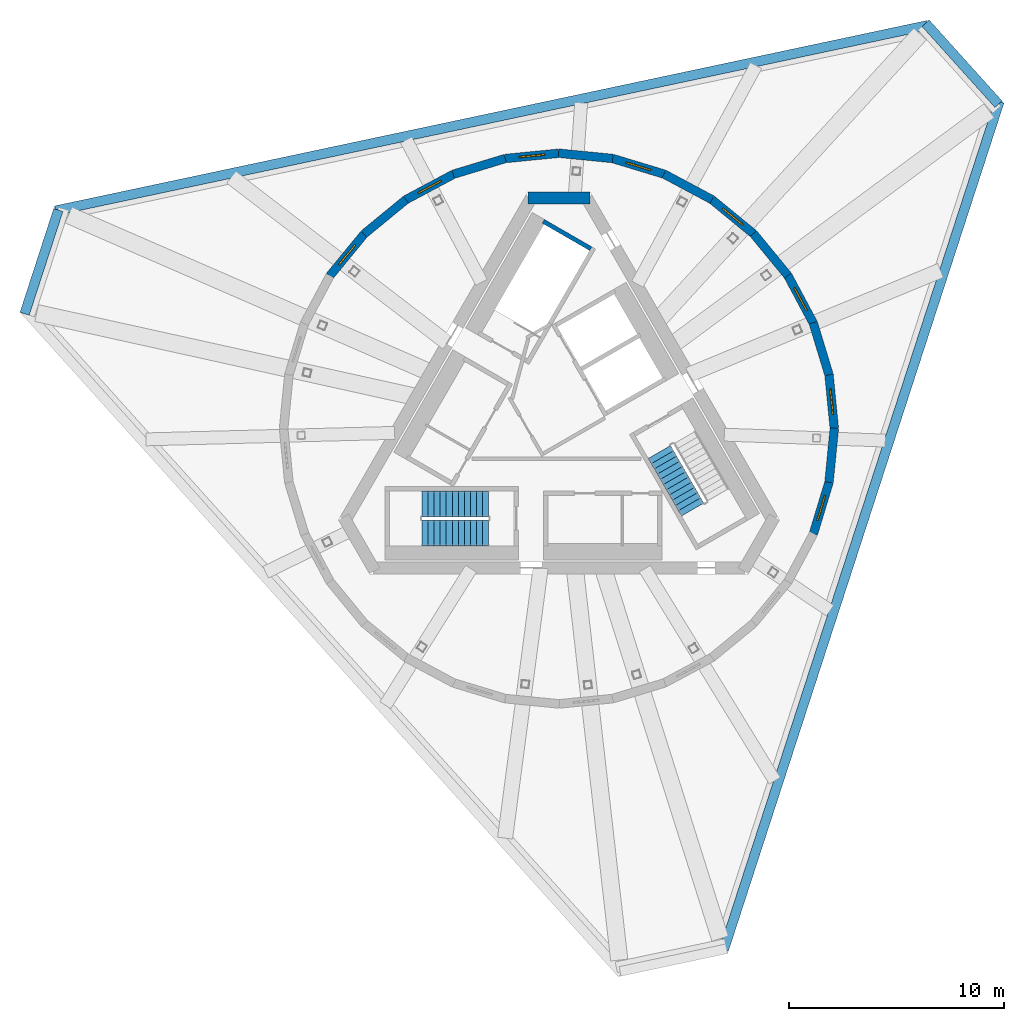
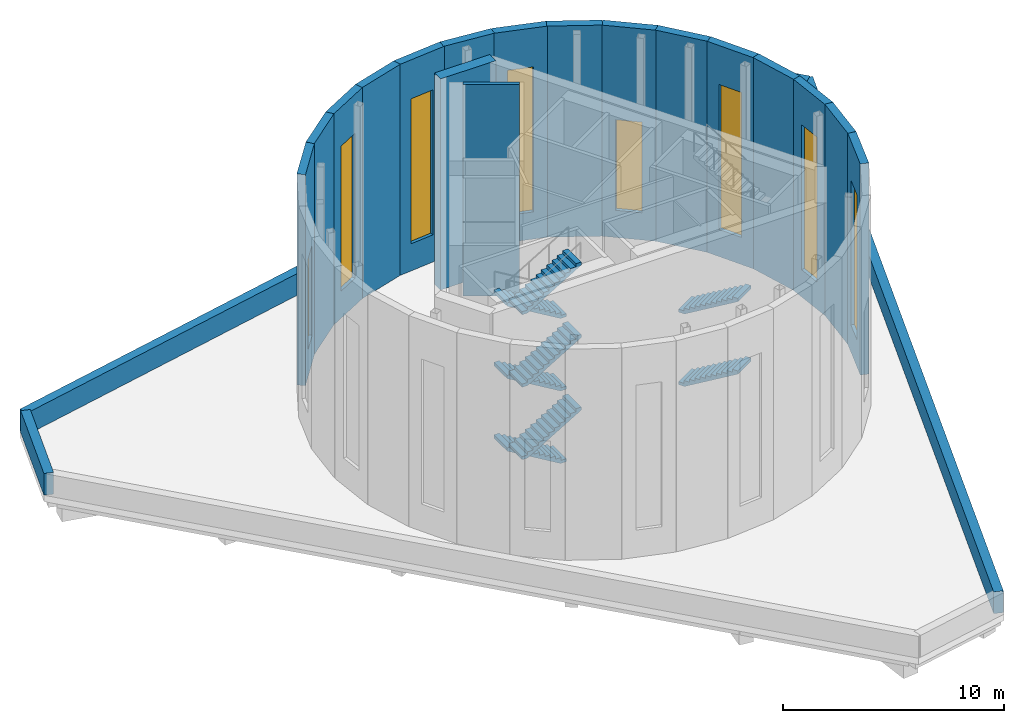
# One storey, part 7 of 9: 21 walls, 8 stair flights, 8 windows, 8 openings, 2 elements without a shape of their own.
"""IFC4 building model written with IfcOpenShell, lengths in metres."""

from ifc_helpers import new_model, si_unit, direction, frame, frame_2d, origin, place, context, subcontext, project, spatial, polyline, rectangle, outline, extrude, material, layer, layer_set, type_object, element, fill, aggregate, save


model = new_model("IFC4")

# Units and contexts
model_context = context("Model", 3, precision=1e-05, world=origin(), true_north=direction((0.0, 1.0)))
body_context = subcontext(model_context, "Body", "Model", "MODEL_VIEW")
ifc_project = project(units=[si_unit("LENGTHUNIT", "METRE"), si_unit("AREAUNIT", "SQUARE_METRE"), si_unit("VOLUMEUNIT", "CUBIC_METRE"), si_unit("PLANEANGLEUNIT", "RADIAN"), si_unit("MASSUNIT", "GRAM", prefix="KILO")], contexts=[model_context])

# Site, building, storey
site_placement = place(None, origin())
site = spatial("IfcSite", under=ifc_project, at=site_placement, CompositionType="ELEMENT")
building_placement = place(site_placement, origin())
building = spatial("IfcBuilding", under=site, at=building_placement, Name="Tramontana Tower", CompositionType="ELEMENT")
storey_placement = place(building_placement, frame((0.0, 0.0, 380.89990234375)))
storey = spatial("IfcBuildingStorey", under=building, at=storey_placement, Name="Crown", CompositionType="ELEMENT", Elevation=380.89990234375)

# Wall
ifc_material_1 = material(Name="Concrete 70 MPa", Category="concrete")
ifc_layer_1 = layer(ifc_material_1, 0.550048828125)
ifc_layer_set_1 = layer_set([ifc_layer_1], Name="Core wall 550 70 MPa")
wall_type_1 = type_object("IfcWallType", Name="Core wall 550 70 MPa", PredefinedType="SHEAR", material=ifc_layer_set_1)
wall_1_placement = place(storey_placement, frame((1.443359375, 10.72509765625, 0.0), z_axis=(0.0, 0.0, 1.0), x_axis=(-1.0, 0.0, 0.0)))
element("IfcWall", 1, at=wall_1_placement, inside=storey, type_object=wall_type_1, Name="Core wall C0 Crown", PredefinedType="SHEAR", context=body_context, shape_type="SweptSolid", body=[
    extrude(rectangle(XDim=2.88671875, YDim=0.550048828125, at=frame_2d((1.443359375, 0.0))), origin(), (0.0, 0.0, 1.0), 11.650146484375),
])

# Wall, opening, window
ifc_material_2 = material(Name="Precast concrete 60 MPa", Category="concrete")
ifc_layer_2 = layer(ifc_material_2, 0.39990234375)
ifc_layer_set_2 = layer_set([ifc_layer_2], Name="DW1 Plant drum wall 400")
wall_type_2 = type_object("IfcWallType", Name="DW1 Plant drum wall 400", PredefinedType="SOLIDWALL", material=ifc_layer_set_2)
wall_2_placement = place(storey_placement, frame((12.800048828125, 0.0, 0.0), z_axis=(0.0, 0.0, 1.0), x_axis=(-0.098079487956, 0.995178583995, 0.0)))
wall_2 = element("IfcWall", 2, at=wall_2_placement, inside=storey, type_object=wall_type_2, Name="Plant drum wall 1", PredefinedType="SOLIDWALL", context=body_context, shape_type="SweptSolid", body=[
    extrude(rectangle(XDim=2.529052734375, YDim=0.39990234375, at=frame_2d((1.2646484375, 0.0))), origin(), (0.0, 0.0, 1.0), 11.650146484375),
])
opening_1_placement = place(wall_2_placement, frame((0.66455078125, 0.0, 1.5)))
opening_1 = element("IfcOpeningElement", 3, at=opening_1_placement, cuts=wall_2, Name="Opening LV3", PredefinedType="OPENING", context=body_context, shape_type="SweptSolid", body=[
    extrude(rectangle(XDim=1.199951171875, YDim=8.0, at=frame_2d((0.60009765625, 4.0))), frame((0.0, 0.2099609375, 0.0), z_axis=(0.0, -1.0, 0.0), x_axis=(1.0, 0.0, 0.0)), (0.0, 0.0, 1.0), 0.419921875),
])
ifc_material_3 = material(Name="Aluminum louvre blades", Category="aluminium")
window_type_1 = type_object("IfcWindowType", Name="LV3 Slot louvre 1.2 x 8", PartitioningType="SINGLE_PANEL", PredefinedType="WINDOW", material=ifc_material_3)
window_1_placement = place(opening_1_placement, origin())
window_1 = element("IfcWindow", 4, at=window_1_placement, inside=storey, type_object=window_type_1, Name="Plant drum louvre 1", OverallHeight=8.0, OverallWidth=1.199951171875, PartitioningType="SINGLE_PANEL", PredefinedType="WINDOW", context=body_context, shape_type="SweptSolid", body=[
    extrude(rectangle(XDim=1.199951171875, YDim=8.0, at=frame_2d((0.60009765625, 4.0))), frame((0.0, 0.030029296875, 0.0), z_axis=(0.0, -1.0, 0.0), x_axis=(1.0, 0.0, 0.0)), (0.0, 0.0, 1.0), 0.06005859375),
])
fill(opening_1, window_1)

# Wall
wall_3_placement = place(storey_placement, frame((12.553955078125, 2.4970703125, 0.0), z_axis=(0.0, 0.0, 1.0), x_axis=(-0.290277987642, 0.956942364979, 0.0)))
element("IfcWall", 5, at=wall_3_placement, inside=storey, type_object=wall_type_2, Name="Plant drum wall 2", PredefinedType="SOLIDWALL", context=body_context, shape_type="SweptSolid", body=[
    extrude(rectangle(XDim=2.529052734375, YDim=0.39990234375, at=frame_2d((1.2646484375, 0.0))), origin(), (0.0, 0.0, 1.0), 11.650146484375),
])

# Wall, opening, window
wall_4_placement = place(storey_placement, frame((11.82568359375, 4.8984375, 0.0), z_axis=(0.0, 0.0, 1.0), x_axis=(-0.47141481613, 0.881911600521, 0.0)))
wall_4 = element("IfcWall", 6, at=wall_4_placement, inside=storey, type_object=wall_type_2, Name="Plant drum wall 3", PredefinedType="SOLIDWALL", context=body_context, shape_type="SweptSolid", body=[
    extrude(rectangle(XDim=2.52880859375, YDim=0.39990234375, at=frame_2d((1.264404296875, 0.0))), origin(), (0.0, 0.0, 1.0), 11.650146484375),
])
opening_2_placement = place(wall_4_placement, frame((0.66455078125, 0.0, 1.5)))
opening_2 = element("IfcOpeningElement", 7, at=opening_2_placement, cuts=wall_4, Name="Opening LV3", PredefinedType="OPENING", context=body_context, shape_type="SweptSolid", body=[
    extrude(rectangle(XDim=1.199951171875, YDim=8.0, at=frame_2d((0.60009765625, 4.0))), frame((0.0, 0.2099609375, 0.0), z_axis=(0.0, -1.0, 0.0), x_axis=(1.0, 0.0, 0.0)), (0.0, 0.0, 1.0), 0.419921875),
])
window_2_placement = place(opening_2_placement, origin())
window_2 = element("IfcWindow", 8, at=window_2_placement, inside=storey, type_object=window_type_1, Name="Plant drum louvre 2", OverallHeight=8.0, OverallWidth=1.199951171875, PartitioningType="SINGLE_PANEL", PredefinedType="WINDOW", context=body_context, shape_type="SweptSolid", body=[
    extrude(rectangle(XDim=1.199951171875, YDim=8.0, at=frame_2d((0.60009765625, 4.0))), frame((0.0, 0.030029296875, 0.0), z_axis=(0.0, -1.0, 0.0), x_axis=(1.0, 0.0, 0.0)), (0.0, 0.0, 1.0), 0.06005859375),
])
fill(opening_2, window_2)

# Wall
wall_5_placement = place(storey_placement, frame((10.642822265625, 7.111328125, 0.0), z_axis=(0.0, 0.0, 1.0), x_axis=(-0.634383184074, 0.773018742182, 0.0)))
element("IfcWall", 9, at=wall_5_placement, inside=storey, type_object=wall_type_2, Name="Plant drum wall 4", PredefinedType="SOLIDWALL", context=body_context, shape_type="SweptSolid", body=[
    extrude(rectangle(XDim=2.52880859375, YDim=0.39990234375, at=frame_2d((1.264404296875, 0.0))), origin(), (0.0, 0.0, 1.0), 11.650146484375),
])

# Wall, opening, window
wall_6_placement = place(storey_placement, frame((9.051025390625, 9.051025390625, 0.0), z_axis=(0.0, 0.0, 1.0), x_axis=(-0.773018742182, 0.634383184074, 0.0)))
wall_6 = element("IfcWall", 10, at=wall_6_placement, inside=storey, type_object=wall_type_2, Name="Plant drum wall 5", PredefinedType="SOLIDWALL", context=body_context, shape_type="SweptSolid", body=[
    extrude(rectangle(XDim=2.52880859375, YDim=0.39990234375, at=frame_2d((1.264404296875, 0.0))), origin(), (0.0, 0.0, 1.0), 11.650146484375),
])
opening_3_placement = place(wall_6_placement, frame((0.66455078125, 0.0, 1.5)))
opening_3 = element("IfcOpeningElement", 11, at=opening_3_placement, cuts=wall_6, Name="Opening LV4", PredefinedType="OPENING", context=body_context, shape_type="SweptSolid", body=[
    extrude(rectangle(XDim=1.199951171875, YDim=5.0, at=frame_2d((0.60009765625, 2.5))), frame((0.0, 0.2099609375, 0.0), z_axis=(0.0, -1.0, 0.0), x_axis=(1.0, 0.0, 0.0)), (0.0, 0.0, 1.0), 0.419921875),
])
ifc_material_4 = material(Name="Aluminum louvre blades", Category="aluminium")
window_type_2 = type_object("IfcWindowType", Name="LV4 Slot louvre 1.2 x 5", PartitioningType="SINGLE_PANEL", PredefinedType="WINDOW", material=ifc_material_4)
window_3_placement = place(opening_3_placement, origin())
window_3 = element("IfcWindow", 12, at=window_3_placement, inside=storey, type_object=window_type_2, Name="Plant drum louvre 3", OverallHeight=5.0, OverallWidth=1.199951171875, PartitioningType="SINGLE_PANEL", PredefinedType="WINDOW", context=body_context, shape_type="SweptSolid", body=[
    extrude(rectangle(XDim=1.199951171875, YDim=5.0, at=frame_2d((0.60009765625, 2.5))), frame((0.0, 0.030029296875, 0.0), z_axis=(0.0, -1.0, 0.0), x_axis=(1.0, 0.0, 0.0)), (0.0, 0.0, 1.0), 0.06005859375),
])
fill(opening_3, window_3)

# Wall
wall_7_placement = place(storey_placement, frame((7.111328125, 10.642822265625, 0.0), z_axis=(0.0, 0.0, 1.0), x_axis=(-0.881933052507, 0.47137468207, 0.0)))
element("IfcWall", 13, at=wall_7_placement, inside=storey, type_object=wall_type_2, Name="Plant drum wall 6", PredefinedType="SOLIDWALL", context=body_context, shape_type="SweptSolid", body=[
    extrude(rectangle(XDim=2.529052734375, YDim=0.39990234375, at=frame_2d((1.2646484375, 0.0))), origin(), (0.0, 0.0, 1.0), 11.650146484375),
])

# Wall, opening, window
wall_8_placement = place(storey_placement, frame((4.8984375, 11.82568359375, 0.0), z_axis=(0.0, 0.0, 1.0), x_axis=(-0.956942364979, 0.290277987642, 0.0)))
wall_8 = element("IfcWall", 14, at=wall_8_placement, inside=storey, type_object=wall_type_2, Name="Plant drum wall 7", PredefinedType="SOLIDWALL", context=body_context, shape_type="SweptSolid", body=[
    extrude(rectangle(XDim=2.529052734375, YDim=0.39990234375, at=frame_2d((1.2646484375, 0.0))), origin(), (0.0, 0.0, 1.0), 11.650146484375),
])
opening_4_placement = place(wall_8_placement, frame((0.66455078125, 0.0, 1.5)))
opening_4 = element("IfcOpeningElement", 15, at=opening_4_placement, cuts=wall_8, Name="Opening LV3", PredefinedType="OPENING", context=body_context, shape_type="SweptSolid", body=[
    extrude(rectangle(XDim=1.199951171875, YDim=8.0, at=frame_2d((0.60009765625, 4.0))), frame((0.0, 0.2099609375, 0.0), z_axis=(0.0, -1.0, 0.0), x_axis=(1.0, 0.0, 0.0)), (0.0, 0.0, 1.0), 0.419921875),
])
window_4_placement = place(opening_4_placement, origin())
window_4 = element("IfcWindow", 16, at=window_4_placement, inside=storey, type_object=window_type_1, Name="Plant drum louvre 4", OverallHeight=8.0, OverallWidth=1.199951171875, PartitioningType="SINGLE_PANEL", PredefinedType="WINDOW", context=body_context, shape_type="SweptSolid", body=[
    extrude(rectangle(XDim=1.199951171875, YDim=8.0, at=frame_2d((0.60009765625, 4.0))), frame((0.0, 0.030029296875, 0.0), z_axis=(0.0, -1.0, 0.0), x_axis=(1.0, 0.0, 0.0)), (0.0, 0.0, 1.0), 0.06005859375),
])
fill(opening_4, window_4)

# Wall
wall_9_placement = place(storey_placement, frame((2.4970703125, 12.553955078125, 0.0), z_axis=(0.0, 0.0, 1.0), x_axis=(-0.995177655235, 0.098088911304, 0.0)))
element("IfcWall", 17, at=wall_9_placement, inside=storey, type_object=wall_type_2, Name="Plant drum wall 8", PredefinedType="SOLIDWALL", context=body_context, shape_type="SweptSolid", body=[
    extrude(rectangle(XDim=2.52880859375, YDim=0.39990234375, at=frame_2d((1.264404296875, 0.0))), origin(), (0.0, 0.0, 1.0), 11.650146484375),
])

# Wall, opening, window
wall_10_placement = place(storey_placement, frame((0.0, 12.800048828125, 0.0), z_axis=(0.0, 0.0, 1.0), x_axis=(-0.995178583995, -0.098079487956, 0.0)))
wall_10 = element("IfcWall", 18, at=wall_10_placement, inside=storey, type_object=wall_type_2, Name="Plant drum wall 9", PredefinedType="SOLIDWALL", context=body_context, shape_type="SweptSolid", body=[
    extrude(rectangle(XDim=2.529052734375, YDim=0.39990234375, at=frame_2d((1.2646484375, 0.0))), origin(), (0.0, 0.0, 1.0), 11.650146484375),
])
opening_5_placement = place(wall_10_placement, frame((0.66455078125, 0.0, 1.5)))
opening_5 = element("IfcOpeningElement", 19, at=opening_5_placement, cuts=wall_10, Name="Opening LV3", PredefinedType="OPENING", context=body_context, shape_type="SweptSolid", body=[
    extrude(rectangle(XDim=1.199951171875, YDim=8.0, at=frame_2d((0.60009765625, 4.0))), frame((0.0, 0.2099609375, 0.0), z_axis=(0.0, -1.0, 0.0), x_axis=(1.0, 0.0, 0.0)), (0.0, 0.0, 1.0), 0.419921875),
])
window_5_placement = place(opening_5_placement, origin())
window_5 = element("IfcWindow", 20, at=window_5_placement, inside=storey, type_object=window_type_1, Name="Plant drum louvre 5", OverallHeight=8.0, OverallWidth=1.199951171875, PartitioningType="SINGLE_PANEL", PredefinedType="WINDOW", context=body_context, shape_type="SweptSolid", body=[
    extrude(rectangle(XDim=1.199951171875, YDim=8.0, at=frame_2d((0.60009765625, 4.0))), frame((0.0, 0.030029296875, 0.0), z_axis=(0.0, -1.0, 0.0), x_axis=(1.0, 0.0, 0.0)), (0.0, 0.0, 1.0), 0.06005859375),
])
fill(opening_5, window_5)

# Wall
wall_11_placement = place(storey_placement, frame((-2.4970703125, 12.553955078125, 0.0), z_axis=(0.0, 0.0, 1.0), x_axis=(-0.956942364979, -0.290277987642, 0.0)))
element("IfcWall", 21, at=wall_11_placement, inside=storey, type_object=wall_type_2, Name="Plant drum wall 10", PredefinedType="SOLIDWALL", context=body_context, shape_type="SweptSolid", body=[
    extrude(rectangle(XDim=2.529052734375, YDim=0.39990234375, at=frame_2d((1.2646484375, 0.0))), origin(), (0.0, 0.0, 1.0), 11.650146484375),
])

# Wall, opening, window
wall_12_placement = place(storey_placement, frame((-4.8984375, 11.82568359375, 0.0), z_axis=(0.0, 0.0, 1.0), x_axis=(-0.881911600521, -0.47141481613, 0.0)))
wall_12 = element("IfcWall", 22, at=wall_12_placement, inside=storey, type_object=wall_type_2, Name="Plant drum wall 11", PredefinedType="SOLIDWALL", context=body_context, shape_type="SweptSolid", body=[
    extrude(rectangle(XDim=2.52880859375, YDim=0.39990234375, at=frame_2d((1.264404296875, 0.0))), origin(), (0.0, 0.0, 1.0), 11.650146484375),
])
opening_6_placement = place(wall_12_placement, frame((0.66455078125, 0.0, 1.5)))
opening_6 = element("IfcOpeningElement", 23, at=opening_6_placement, cuts=wall_12, Name="Opening LV3", PredefinedType="OPENING", context=body_context, shape_type="SweptSolid", body=[
    extrude(rectangle(XDim=1.199951171875, YDim=8.0, at=frame_2d((0.60009765625, 4.0))), frame((0.0, 0.2099609375, 0.0), z_axis=(0.0, -1.0, 0.0), x_axis=(1.0, 0.0, 0.0)), (0.0, 0.0, 1.0), 0.419921875),
])
window_6_placement = place(opening_6_placement, origin())
window_6 = element("IfcWindow", 24, at=window_6_placement, inside=storey, type_object=window_type_1, Name="Plant drum louvre 6", OverallHeight=8.0, OverallWidth=1.199951171875, PartitioningType="SINGLE_PANEL", PredefinedType="WINDOW", context=body_context, shape_type="SweptSolid", body=[
    extrude(rectangle(XDim=1.199951171875, YDim=8.0, at=frame_2d((0.60009765625, 4.0))), frame((0.0, 0.030029296875, 0.0), z_axis=(0.0, -1.0, 0.0), x_axis=(1.0, 0.0, 0.0)), (0.0, 0.0, 1.0), 0.06005859375),
])
fill(opening_6, window_6)

# Wall
wall_13_placement = place(storey_placement, frame((-7.111328125, 10.642822265625, 0.0), z_axis=(0.0, 0.0, 1.0), x_axis=(-0.773018742182, -0.634383184074, 0.0)))
element("IfcWall", 25, at=wall_13_placement, inside=storey, type_object=wall_type_2, Name="Plant drum wall 12", PredefinedType="SOLIDWALL", context=body_context, shape_type="SweptSolid", body=[
    extrude(rectangle(XDim=2.52880859375, YDim=0.39990234375, at=frame_2d((1.264404296875, 0.0))), origin(), (0.0, 0.0, 1.0), 11.650146484375),
])

# Wall, opening, window
wall_14_placement = place(storey_placement, frame((-9.051025390625, 9.051025390625, 0.0), z_axis=(0.0, 0.0, 1.0), x_axis=(-0.634383184074, -0.773018742182, 0.0)))
wall_14 = element("IfcWall", 26, at=wall_14_placement, inside=storey, type_object=wall_type_2, Name="Plant drum wall 13", PredefinedType="SOLIDWALL", context=body_context, shape_type="SweptSolid", body=[
    extrude(rectangle(XDim=2.52880859375, YDim=0.39990234375, at=frame_2d((1.264404296875, 0.0))), origin(), (0.0, 0.0, 1.0), 11.650146484375),
])
opening_7_placement = place(wall_14_placement, frame((0.66455078125, 0.0, 1.5)))
opening_7 = element("IfcOpeningElement", 27, at=opening_7_placement, cuts=wall_14, Name="Opening LV4", PredefinedType="OPENING", context=body_context, shape_type="SweptSolid", body=[
    extrude(rectangle(XDim=1.199951171875, YDim=5.0, at=frame_2d((0.60009765625, 2.5))), frame((0.0, 0.2099609375, 0.0), z_axis=(0.0, -1.0, 0.0), x_axis=(1.0, 0.0, 0.0)), (0.0, 0.0, 1.0), 0.419921875),
])
window_7_placement = place(opening_7_placement, origin())
window_7 = element("IfcWindow", 28, at=window_7_placement, inside=storey, type_object=window_type_2, Name="Plant drum louvre 7", OverallHeight=5.0, OverallWidth=1.199951171875, PartitioningType="SINGLE_PANEL", PredefinedType="WINDOW", context=body_context, shape_type="SweptSolid", body=[
    extrude(rectangle(XDim=1.199951171875, YDim=5.0, at=frame_2d((0.60009765625, 2.5))), frame((0.0, 0.030029296875, 0.0), z_axis=(0.0, -1.0, 0.0), x_axis=(1.0, 0.0, 0.0)), (0.0, 0.0, 1.0), 0.06005859375),
])
fill(opening_7, window_7)

wall_15_placement = place(storey_placement, frame((11.82568359375, -4.8984375, 0.0), z_axis=(0.0, 0.0, 1.0), x_axis=(0.290277987642, 0.956942364979, 0.0)))
wall_15 = element("IfcWall", 29, at=wall_15_placement, inside=storey, type_object=wall_type_2, Name="Plant drum wall 31", PredefinedType="SOLIDWALL", context=body_context, shape_type="SweptSolid", body=[
    extrude(rectangle(XDim=2.529052734375, YDim=0.39990234375, at=frame_2d((1.2646484375, 0.0))), origin(), (0.0, 0.0, 1.0), 11.650146484375),
])
opening_8_placement = place(wall_15_placement, frame((0.66455078125, 0.0, 1.5)))
opening_8 = element("IfcOpeningElement", 30, at=opening_8_placement, cuts=wall_15, Name="Opening LV3", PredefinedType="OPENING", context=body_context, shape_type="SweptSolid", body=[
    extrude(rectangle(XDim=1.199951171875, YDim=8.0, at=frame_2d((0.60009765625, 4.0))), frame((0.0, 0.2099609375, 0.0), z_axis=(0.0, -1.0, 0.0), x_axis=(1.0, 0.0, 0.0)), (0.0, 0.0, 1.0), 0.419921875),
])
window_8_placement = place(opening_8_placement, origin())
window_8 = element("IfcWindow", 31, at=window_8_placement, inside=storey, type_object=window_type_1, Name="Plant drum louvre 16", OverallHeight=8.0, OverallWidth=1.199951171875, PartitioningType="SINGLE_PANEL", PredefinedType="WINDOW", context=body_context, shape_type="SweptSolid", body=[
    extrude(rectangle(XDim=1.199951171875, YDim=8.0, at=frame_2d((0.60009765625, 4.0))), frame((0.0, 0.030029296875, 0.0), z_axis=(0.0, -1.0, 0.0), x_axis=(1.0, 0.0, 0.0)), (0.0, 0.0, 1.0), 0.06005859375),
])
fill(opening_8, window_8)

# Walls
wall_16_placement = place(storey_placement, frame((12.553955078125, -2.4970703125, 0.0), z_axis=(0.0, 0.0, 1.0), x_axis=(0.098088911304, 0.995177655235, 0.0)))
element("IfcWall", 32, at=wall_16_placement, inside=storey, type_object=wall_type_2, Name="Plant drum wall 32", PredefinedType="SOLIDWALL", context=body_context, shape_type="SweptSolid", body=[
    extrude(rectangle(XDim=2.52880859375, YDim=0.39990234375, at=frame_2d((1.264404296875, 0.0))), origin(), (0.0, 0.0, 1.0), 11.650146484375),
])
ifc_material_5 = material(Name="Precast concrete 60 MPa", Category="concrete")
ifc_layer_3 = layer(ifc_material_5, 0.449951171875)
ifc_layer_set_3 = layer_set([ifc_layer_3], Name="PA1 Crown parapet 450")
wall_type_3 = type_object("IfcWallType", Name="PA1 Crown parapet 450", PredefinedType="PARAPET", material=ifc_layer_set_3)
wall_17_placement = place(storey_placement, frame((7.669189453125, -24.20947265625, 0.0), z_axis=(0.0, 0.0, 1.0), x_axis=(0.309016265785, 0.951056753028, 0.0)))
element("IfcWall", 33, at=wall_17_placement, inside=storey, type_object=wall_type_3, Name="Crown parapet 3", PredefinedType="PARAPET", context=body_context, shape_type="SweptSolid", body=[
    extrude(rectangle(XDim=41.439208984375, YDim=0.449951171875, at=frame_2d((20.7197265625, 0.0))), origin(), (0.0, 0.0, 1.0), 1.2001953125),
])
wall_18_placement = place(storey_placement, frame((20.4345703125, 15.078125, 0.0), z_axis=(0.0, 0.0, 1.0), x_axis=(-0.669153739027, 0.743123996078, 0.0)))
element("IfcWall", 34, at=wall_18_placement, inside=storey, type_object=wall_type_3, Name="Crown parapet 4", PredefinedType="PARAPET", context=body_context, shape_type="SweptSolid", body=[
    extrude(rectangle(XDim=5.06640625, YDim=0.449951171875, at=frame_2d((2.533203125, 0.0))), origin(), (0.0, 0.0, 1.0), 1.2001953125),
])
wall_19_placement = place(storey_placement, frame((17.13134765625, 18.74658203125, 0.0), z_axis=(0.0, 0.0, 1.0), x_axis=(-0.978147499739, -0.207912165961, 0.0)))
element("IfcWall", 35, at=wall_19_placement, inside=storey, type_object=wall_type_3, Name="Crown parapet 5", PredefinedType="PARAPET", context=body_context, shape_type="SweptSolid", body=[
    extrude(rectangle(XDim=41.439208984375, YDim=0.449951171875, at=frame_2d((20.7197265625, 0.0))), origin(), (0.0, 0.0, 1.0), 1.2001953125),
])
wall_20_placement = place(storey_placement, frame((-23.275146484375, 10.15771484375, 0.0), z_axis=(0.0, 0.0, 1.0), x_axis=(-0.309047933484, -0.951046463013, 0.0)))
element("IfcWall", 36, at=wall_20_placement, inside=storey, type_object=wall_type_3, Name="Crown parapet 6", PredefinedType="PARAPET", context=body_context, shape_type="SweptSolid", body=[
    extrude(rectangle(XDim=5.066162109375, YDim=0.449951171875, at=frame_2d((2.533203125, 0.0))), origin(), (0.0, 0.0, 1.0), 1.2001953125),
])
ifc_material_6 = material(Name="Concrete 70 MPa", Category="concrete")
ifc_layer_4 = layer(ifc_material_6, 0.199951171875)
ifc_layer_set_4 = layer_set([ifc_layer_4], Name="Concrete 70 MPa, 200 mm")
wall_type_4 = type_object("IfcWallType", Name="RC STAIR AND SHAFT WALL 200", PredefinedType="SOLIDWALL", material=ifc_layer_set_4)
wall_21_placement = place(storey_placement, frame((1.478515625, 8.36083984375, 0.0), z_axis=(0.0, 0.0, 1.0), x_axis=(-0.865989465428, 0.500062241894, 0.0)))
element("IfcWall", 37, at=wall_21_placement, inside=storey, type_object=wall_type_4, Name="Wall st1-far", PredefinedType="SOLIDWALL", context=body_context, shape_type="SweptSolid", body=[
    extrude(rectangle(XDim=2.550048828125, YDim=0.199951171875, at=frame_2d((1.27490234375, 0.0))), origin(), (0.0, 0.0, 1.0), 11.650146484375),
])

# Stair, stair flights
ifc_material_7 = material(Name="Concrete 40 MPa", Category="concrete")
stair_type = type_object("IfcStairType", Name="EXIT STAIR 72 RISERS", PredefinedType="HALF_TURN_STAIR", material=ifc_material_7)
stair_1_placement = place(storey_placement, origin())
stair_1 = element("IfcStair", 38, at=stair_1_placement, inside=storey, type_object=stair_type, Name="Crown Exit stair ST2", PredefinedType="HALF_TURN_STAIR")
ifc_material_8 = material(Name="Concrete 40 MPa", Category="concrete")
ifc_layer_5 = layer(ifc_material_8, 0.14990234375)
ifc_layer_set_5 = layer_set([ifc_layer_5], Name="EXIT STAIR FLIGHT")
stair_flight_type = type_object("IfcStairFlightType", Name="EXIT STAIR FLIGHT", PredefinedType="STRAIGHT", material=ifc_layer_set_5)
stair_flight_1_placement = place(storey_placement, frame((-3.280029296875, -3.5, 0.0), z_axis=(0.0, 0.0, 1.0), x_axis=(-1.0, 0.0, 0.0)))
stair_flight_1 = element("IfcStairFlight", 39, at=stair_flight_1_placement, type_object=stair_flight_type, Name="ST2 flight 1", NumberOfRisers=12, NumberOfTreads=11, PredefinedType="STRAIGHT", RiserHeight=0.166666667, TreadLength=0.28, context=body_context, shape_type="SweptSolid", body=[
    extrude(outline(polyline([(-0.006103515625, 0.0), (-0.006103515625, 0.0400390625), (0.0, 0.0400390625), (0.0, 0.166748046875), (0.280029296875, 0.166748046875), (0.280029296875, 0.333251953125), (0.56005859375, 0.333251953125), (0.56005859375, 0.5), (0.840087890625, 0.5), (0.840087890625, 0.666748046875), (1.1201171875, 0.666748046875), (1.1201171875, 0.833251953125), (1.39990234375, 0.833251953125), (1.39990234375, 1.0), (1.679931640625, 1.0), (1.679931640625, 1.166748046875), (1.9599609375, 1.166748046875), (1.9599609375, 1.333251953125), (2.239990234375, 1.333251953125), (2.239990234375, 1.5), (2.52001953125, 1.5), (2.52001953125, 1.666748046875), (2.800048828125, 1.666748046875), (2.800048828125, 1.833251953125), (3.080078125, 1.833251953125), (3.0859375, 1.833251953125), (3.0859375, 1.658935546875), (0.299072265625, 0.0), (-0.006103515625, 0.0)])), frame((0.0, 0.60009765625, 0.0), z_axis=(0.0, -1.0, 0.0), x_axis=(1.0, 0.0, 0.0)), (0.0, 0.0, 1.0), 1.199951171875),
])
stair_flight_2_placement = place(storey_placement, frame((-6.360107421875, -4.85009765625, 2.0), z_axis=(0.0, 0.0, 1.0), x_axis=(1.0, 0.0, 0.0)))
stair_flight_2 = element("IfcStairFlight", 40, at=stair_flight_2_placement, type_object=stair_flight_type, Name="ST2 flight 2", NumberOfRisers=12, NumberOfTreads=11, PredefinedType="STRAIGHT", RiserHeight=0.166666667, TreadLength=0.28, context=body_context, shape_type="SweptSolid", body=[
    extrude(outline(polyline([(-0.006103515625, 0.0), (-0.006103515625, 0.0400390625), (0.0, 0.0400390625), (0.0, 0.166748046875), (0.280029296875, 0.166748046875), (0.280029296875, 0.333251953125), (0.56005859375, 0.333251953125), (0.56005859375, 0.5), (0.840087890625, 0.5), (0.840087890625, 0.666748046875), (1.1201171875, 0.666748046875), (1.1201171875, 0.833251953125), (1.39990234375, 0.833251953125), (1.39990234375, 1.0), (1.679931640625, 1.0), (1.679931640625, 1.166748046875), (1.9599609375, 1.166748046875), (1.9599609375, 1.333251953125), (2.239990234375, 1.333251953125), (2.239990234375, 1.5), (2.52001953125, 1.5), (2.52001953125, 1.666748046875), (2.800048828125, 1.666748046875), (2.800048828125, 1.833251953125), (3.080078125, 1.833251953125), (3.0859375, 1.833251953125), (3.0859375, 1.658935546875), (0.299072265625, 0.0), (-0.006103515625, 0.0)])), frame((0.0, 0.60009765625, 0.0), z_axis=(0.0, -1.0, 0.0), x_axis=(1.0, 0.0, 0.0)), (0.0, 0.0, 1.0), 1.199951171875),
])
stair_flight_3_placement = place(storey_placement, frame((-3.280029296875, -3.5, 4.0), z_axis=(0.0, 0.0, 1.0), x_axis=(-1.0, 0.0, 0.0)))
stair_flight_3 = element("IfcStairFlight", 41, at=stair_flight_3_placement, type_object=stair_flight_type, Name="ST2 flight 3", NumberOfRisers=12, NumberOfTreads=11, PredefinedType="STRAIGHT", RiserHeight=0.166666667, TreadLength=0.28, context=body_context, shape_type="SweptSolid", body=[
    extrude(outline(polyline([(-0.006103515625, 0.0), (-0.006103515625, 0.0400390625), (0.0, 0.0400390625), (0.0, 0.166748046875), (0.280029296875, 0.166748046875), (0.280029296875, 0.333251953125), (0.56005859375, 0.333251953125), (0.56005859375, 0.5), (0.840087890625, 0.5), (0.840087890625, 0.666748046875), (1.1201171875, 0.666748046875), (1.1201171875, 0.833251953125), (1.39990234375, 0.833251953125), (1.39990234375, 1.0), (1.679931640625, 1.0), (1.679931640625, 1.166748046875), (1.9599609375, 1.166748046875), (1.9599609375, 1.333251953125), (2.239990234375, 1.333251953125), (2.239990234375, 1.5), (2.52001953125, 1.5), (2.52001953125, 1.666748046875), (2.800048828125, 1.666748046875), (2.800048828125, 1.833251953125), (3.080078125, 1.833251953125), (3.0859375, 1.833251953125), (3.0859375, 1.658935546875), (0.299072265625, 0.0), (-0.006103515625, 0.0)])), frame((0.0, 0.60009765625, 0.0), z_axis=(0.0, -1.0, 0.0), x_axis=(1.0, 0.0, 0.0)), (0.0, 0.0, 1.0), 1.199951171875),
])
stair_flight_4_placement = place(storey_placement, frame((-6.360107421875, -4.85009765625, 6.0), z_axis=(0.0, 0.0, 1.0), x_axis=(1.0, 0.0, 0.0)))
stair_flight_4 = element("IfcStairFlight", 42, at=stair_flight_4_placement, type_object=stair_flight_type, Name="ST2 flight 4", NumberOfRisers=12, NumberOfTreads=11, PredefinedType="STRAIGHT", RiserHeight=0.166666667, TreadLength=0.28, context=body_context, shape_type="SweptSolid", body=[
    extrude(outline(polyline([(-0.006103515625, 0.0), (-0.006103515625, 0.0400390625), (0.0, 0.0400390625), (0.0, 0.166748046875), (0.280029296875, 0.166748046875), (0.280029296875, 0.333251953125), (0.56005859375, 0.333251953125), (0.56005859375, 0.5), (0.840087890625, 0.5), (0.840087890625, 0.666748046875), (1.1201171875, 0.666748046875), (1.1201171875, 0.833251953125), (1.39990234375, 0.833251953125), (1.39990234375, 1.0), (1.679931640625, 1.0), (1.679931640625, 1.166748046875), (1.9599609375, 1.166748046875), (1.9599609375, 1.333251953125), (2.239990234375, 1.333251953125), (2.239990234375, 1.5), (2.52001953125, 1.5), (2.52001953125, 1.666748046875), (2.800048828125, 1.666748046875), (2.800048828125, 1.833251953125), (3.080078125, 1.833251953125), (3.0859375, 1.833251953125), (3.0859375, 1.658935546875), (0.299072265625, 0.0), (-0.006103515625, 0.0)])), frame((0.0, 0.60009765625, 0.0), z_axis=(0.0, -1.0, 0.0), x_axis=(1.0, 0.0, 0.0)), (0.0, 0.0, 1.0), 1.199951171875),
])
stair_flight_5_placement = place(storey_placement, frame((-3.280029296875, -3.5, 8.0), z_axis=(0.0, 0.0, 1.0), x_axis=(-1.0, 0.0, 0.0)))
stair_flight_5 = element("IfcStairFlight", 43, at=stair_flight_5_placement, type_object=stair_flight_type, Name="ST2 flight 5", NumberOfRisers=12, NumberOfTreads=11, PredefinedType="STRAIGHT", RiserHeight=0.166666667, TreadLength=0.28, context=body_context, shape_type="SweptSolid", body=[
    extrude(outline(polyline([(-0.006103515625, 0.0), (-0.006103515625, 0.0400390625), (0.0, 0.0400390625), (0.0, 0.166748046875), (0.280029296875, 0.166748046875), (0.280029296875, 0.333251953125), (0.56005859375, 0.333251953125), (0.56005859375, 0.5), (0.840087890625, 0.5), (0.840087890625, 0.666748046875), (1.1201171875, 0.666748046875), (1.1201171875, 0.833251953125), (1.39990234375, 0.833251953125), (1.39990234375, 1.0), (1.679931640625, 1.0), (1.679931640625, 1.166748046875), (1.9599609375, 1.166748046875), (1.9599609375, 1.333251953125), (2.239990234375, 1.333251953125), (2.239990234375, 1.5), (2.52001953125, 1.5), (2.52001953125, 1.666748046875), (2.800048828125, 1.666748046875), (2.800048828125, 1.833251953125), (3.080078125, 1.833251953125), (3.0859375, 1.833251953125), (3.0859375, 1.658935546875), (0.299072265625, 0.0), (-0.006103515625, 0.0)])), frame((0.0, 0.60009765625, 0.0), z_axis=(0.0, -1.0, 0.0), x_axis=(1.0, 0.0, 0.0)), (0.0, 0.0, 1.0), 1.199951171875),
])
stair_flight_6_placement = place(storey_placement, frame((-6.360107421875, -4.85009765625, 10.0), z_axis=(0.0, 0.0, 1.0), x_axis=(1.0, 0.0, 0.0)))
stair_flight_6 = element("IfcStairFlight", 44, at=stair_flight_6_placement, type_object=stair_flight_type, Name="ST2 flight 6", NumberOfRisers=12, NumberOfTreads=11, PredefinedType="STRAIGHT", RiserHeight=0.166666667, TreadLength=0.28, context=body_context, shape_type="SweptSolid", body=[
    extrude(outline(polyline([(-0.006103515625, 0.0), (-0.006103515625, 0.0400390625), (0.0, 0.0400390625), (0.0, 0.166748046875), (0.280029296875, 0.166748046875), (0.280029296875, 0.333251953125), (0.56005859375, 0.333251953125), (0.56005859375, 0.5), (0.840087890625, 0.5), (0.840087890625, 0.666748046875), (1.1201171875, 0.666748046875), (1.1201171875, 0.833251953125), (1.39990234375, 0.833251953125), (1.39990234375, 1.0), (1.679931640625, 1.0), (1.679931640625, 1.166748046875), (1.9599609375, 1.166748046875), (1.9599609375, 1.333251953125), (2.239990234375, 1.333251953125), (2.239990234375, 1.5), (2.52001953125, 1.5), (2.52001953125, 1.666748046875), (2.800048828125, 1.666748046875), (2.800048828125, 1.833251953125), (3.080078125, 1.833251953125), (3.0859375, 1.833251953125), (3.0859375, 1.658935546875), (0.299072265625, 0.0), (-0.006103515625, 0.0)])), frame((0.0, 0.60009765625, 0.0), z_axis=(0.0, -1.0, 0.0), x_axis=(1.0, 0.0, 0.0)), (0.0, 0.0, 1.0), 1.199951171875),
])
aggregate(stair_1, [stair_flight_1, stair_flight_2, stair_flight_3, stair_flight_4, stair_flight_5, stair_flight_6])

stair_2_placement = place(storey_placement, origin())
stair_2 = element("IfcStair", 45, at=stair_2_placement, inside=storey, type_object=stair_type, Name="Crown Exit stair ST3", PredefinedType="HALF_TURN_STAIR")
stair_flight_7_placement = place(storey_placement, frame((4.671142578125, -1.090576171875, 0.0), z_axis=(0.0, 0.0, 1.0), x_axis=(0.5, -0.866025403784, 0.0)))
stair_flight_7 = element("IfcStairFlight", 46, at=stair_flight_7_placement, type_object=stair_flight_type, Name="ST3 flight 1", NumberOfRisers=12, NumberOfTreads=11, PredefinedType="STRAIGHT", RiserHeight=0.166666667, TreadLength=0.28, context=body_context, shape_type="SweptSolid", body=[
    extrude(outline(polyline([(-0.006103515625, 0.0), (-0.006103515625, 0.0400390625), (0.0, 0.0400390625), (0.0, 0.166748046875), (0.280029296875, 0.166748046875), (0.280029296875, 0.333251953125), (0.56005859375, 0.333251953125), (0.56005859375, 0.5), (0.840087890625, 0.5), (0.840087890625, 0.666748046875), (1.1201171875, 0.666748046875), (1.1201171875, 0.833251953125), (1.39990234375, 0.833251953125), (1.39990234375, 1.0), (1.679931640625, 1.0), (1.679931640625, 1.166748046875), (1.9599609375, 1.166748046875), (1.9599609375, 1.333251953125), (2.239990234375, 1.333251953125), (2.239990234375, 1.5), (2.52001953125, 1.5), (2.52001953125, 1.666748046875), (2.800048828125, 1.666748046875), (2.800048828125, 1.833251953125), (3.080078125, 1.833251953125), (3.0859375, 1.833251953125), (3.0859375, 1.658935546875), (0.299072265625, 0.0), (-0.006103515625, 0.0)])), frame((0.0, 0.60009765625, 0.0), z_axis=(0.0, -1.0, 0.0), x_axis=(1.0, 0.0, 0.0)), (0.0, 0.0, 1.0), 1.199951171875),
])
stair_flight_8_placement = place(storey_placement, frame((4.671142578125, -1.090576171875, 4.0), z_axis=(0.0, 0.0, 1.0), x_axis=(0.5, -0.866025403784, 0.0)))
stair_flight_8 = element("IfcStairFlight", 47, at=stair_flight_8_placement, type_object=stair_flight_type, Name="ST3 flight 3", NumberOfRisers=12, NumberOfTreads=11, PredefinedType="STRAIGHT", RiserHeight=0.166666667, TreadLength=0.28, context=body_context, shape_type="SweptSolid", body=[
    extrude(outline(polyline([(-0.006103515625, 0.0), (-0.006103515625, 0.0400390625), (0.0, 0.0400390625), (0.0, 0.166748046875), (0.280029296875, 0.166748046875), (0.280029296875, 0.333251953125), (0.56005859375, 0.333251953125), (0.56005859375, 0.5), (0.840087890625, 0.5), (0.840087890625, 0.666748046875), (1.1201171875, 0.666748046875), (1.1201171875, 0.833251953125), (1.39990234375, 0.833251953125), (1.39990234375, 1.0), (1.679931640625, 1.0), (1.679931640625, 1.166748046875), (1.9599609375, 1.166748046875), (1.9599609375, 1.333251953125), (2.239990234375, 1.333251953125), (2.239990234375, 1.5), (2.52001953125, 1.5), (2.52001953125, 1.666748046875), (2.800048828125, 1.666748046875), (2.800048828125, 1.833251953125), (3.080078125, 1.833251953125), (3.0859375, 1.833251953125), (3.0859375, 1.658935546875), (0.299072265625, 0.0), (-0.006103515625, 0.0)])), frame((0.0, 0.60009765625, 0.0), z_axis=(0.0, -1.0, 0.0), x_axis=(1.0, 0.0, 0.0)), (0.0, 0.0, 1.0), 1.199951171875),
])
aggregate(stair_2, [stair_flight_7, stair_flight_8])

save(model, "model.ifc")
